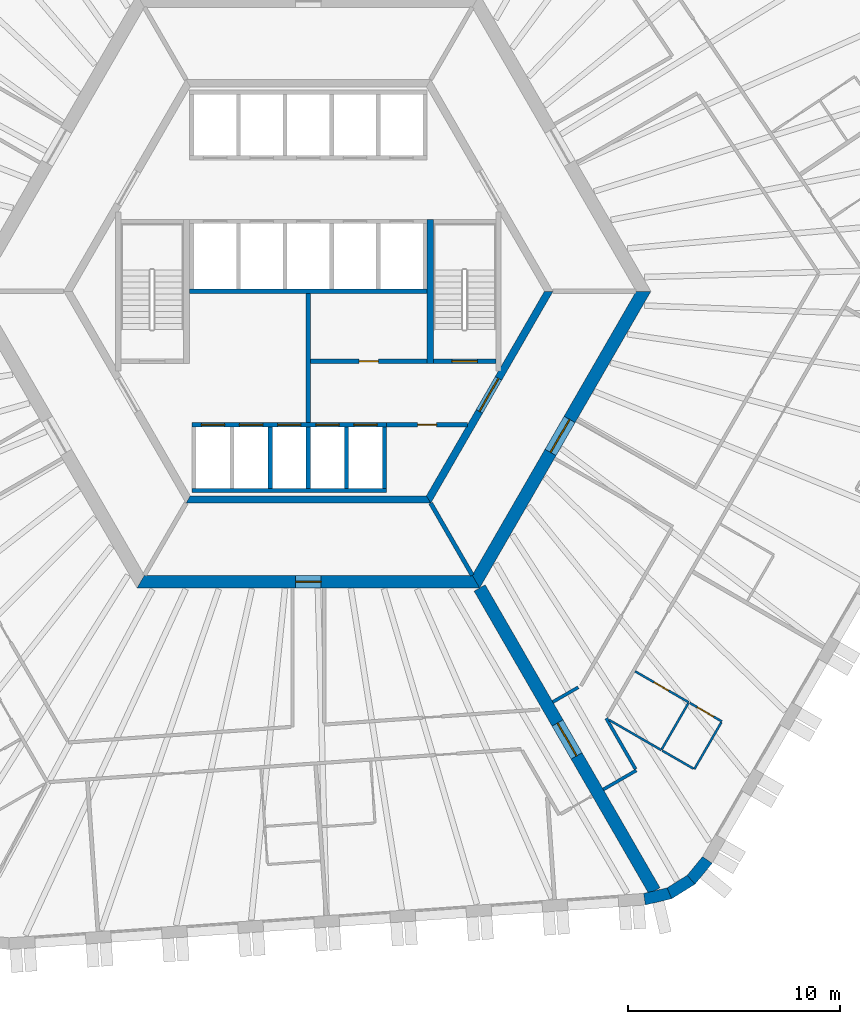
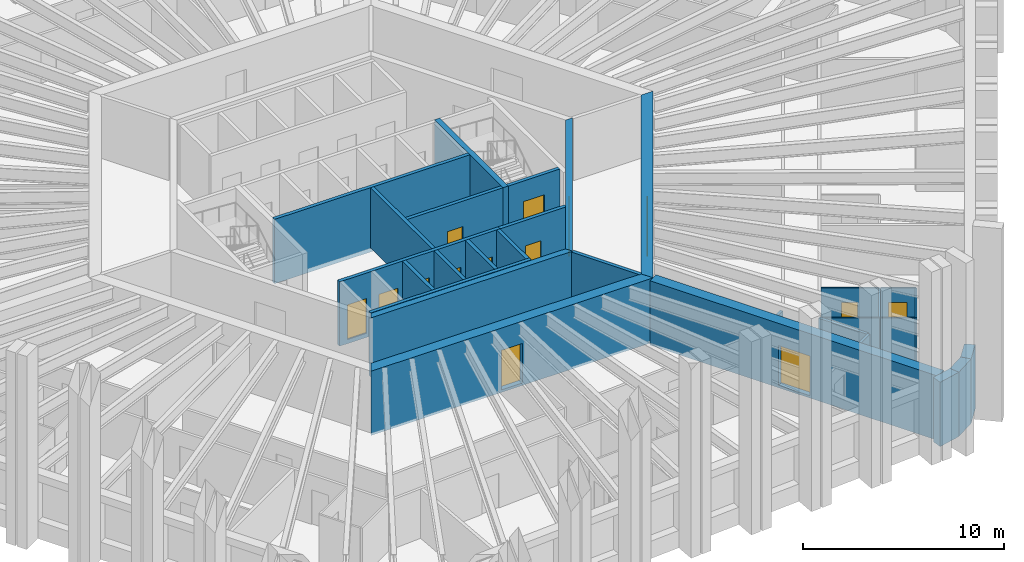
# One storey, part 5 of 12: 30 walls, 14 doors, 14 openings.
"""IFC4 building model written with IfcOpenShell, lengths in metres."""

from ifc_helpers import new_model, si_unit, direction, frame, frame_2d, origin, place, context, subcontext, project, spatial, polyline, rectangle, outline, extrude, material, layer, layer_set, type_object, element, fill, save


model = new_model("IFC4")

# Units and contexts
model_context = context("Model", 3, precision=1e-05, world=origin(), true_north=direction((0.0, 1.0)))
body_context = subcontext(model_context, "Body", "Model", "MODEL_VIEW")
ifc_project = project(units=[si_unit("LENGTHUNIT", "METRE"), si_unit("AREAUNIT", "SQUARE_METRE"), si_unit("VOLUMEUNIT", "CUBIC_METRE"), si_unit("PLANEANGLEUNIT", "RADIAN"), si_unit("MASSUNIT", "GRAM", prefix="KILO")], contexts=[model_context])

# Site, building, storey
site_placement = place(None, origin())
site = spatial("IfcSite", under=ifc_project, at=site_placement, CompositionType="ELEMENT")
building_placement = place(site_placement, origin())
building = spatial("IfcBuilding", under=site, at=building_placement, Name="Tarnside Tower", CompositionType="ELEMENT")
storey_placement = place(building_placement, frame((0.0, 0.0, 99.89990234375)))
storey = spatial("IfcBuildingStorey", under=building, at=storey_placement, Name="L22", CompositionType="ELEMENT", Elevation=99.89990234375)

# Wall
ifc_material_1 = material(Name="Gypsum board partition on steel studs", Category="steel")
ifc_layer_1 = layer(ifc_material_1, 0.10009765625)
ifc_layer_set_1 = layer_set([ifc_layer_1], Name="Bathroom wall 100")
wall_type_1 = type_object("IfcWallType", Name="Bathroom wall 100", PredefinedType="PARTITIONING", material=ifc_layer_set_1)
wall_1_placement = place(storey_placement, frame((16.656494140625, -21.64990234375, 0.0), z_axis=(0.0, 0.0, 1.0), x_axis=(-0.866041498374, 0.499972122318, 0.0)))
element("IfcWall", 1, at=wall_1_placement, inside=storey, type_object=wall_type_1, Name="Bathroom wall 07131", PredefinedType="PARTITIONING", context=body_context, shape_type="SweptSolid", body=[
    extrude(rectangle(XDim=2.849853515625, YDim=0.10009765625, at=frame_2d((1.4248046875, 0.0))), origin(), (0.0, 0.0, 1.0), 2.98779296875),
])

# Wall, opening, door
wall_2_placement = place(storey_placement, frame((15.42333984375, -17.935791015625, 0.0), z_axis=(0.0, 0.0, 1.0), x_axis=(0.86601045545, -0.500025890382, 0.0)))
wall_2 = element("IfcWall", 2, at=wall_2_placement, inside=storey, type_object=wall_type_1, Name="Bathroom wall 07132", PredefinedType="PARTITIONING", context=body_context, shape_type="SweptSolid", body=[
    extrude(rectangle(XDim=2.925048828125, YDim=0.10009765625, at=frame_2d((1.46240234375, 0.0))), origin(), (0.0, 0.0, 1.0), 2.98779296875),
])
opening_1_placement = place(wall_2_placement, frame((1.02490234375, 0.0, 0.0)))
opening_1 = element("IfcOpeningElement", 3, at=opening_1_placement, cuts=wall_2, Name="Opening D-B1", PredefinedType="OPENING", context=body_context, shape_type="SweptSolid", body=[
    extrude(rectangle(XDim=0.800048828125, YDim=2.10009765625, at=frame_2d((0.39990234375, 1.050048828125))), frame((0.0, 0.06005859375, 0.0), z_axis=(0.0, -1.0, 0.0), x_axis=(1.0, 0.0, 0.0)), (0.0, 0.0, 1.0), 0.1201171875),
])
ifc_material_2 = material(Name="Timber door leaf", Category="wood")
door_type_1 = type_object("IfcDoorType", Name="Bathroom door 800", OperationType="NOTDEFINED", PredefinedType="DOOR", material=ifc_material_2)
door_1_placement = place(opening_1_placement, origin())
door_1 = element("IfcDoor", 4, at=door_1_placement, inside=storey, type_object=door_type_1, Name="Bathroom door 07030", OperationType="SINGLE_SWING_RIGHT", OverallHeight=2.10009765625, OverallWidth=0.800048828125, PredefinedType="DOOR", context=body_context, shape_type="SweptSolid", body=[
    extrude(rectangle(XDim=0.800048828125, YDim=2.10009765625, at=frame_2d((0.39990234375, 1.050048828125))), frame((0.0, 0.02490234375, 0.0), z_axis=(0.0, -1.0, 0.0), x_axis=(1.0, 0.0, 0.0)), (0.0, 0.0, 1.0), 0.050048828125),
])
fill(opening_1, door_1)

# Walls
wall_3_placement = place(storey_placement, frame((16.681640625, -21.606689453125, 0.0), z_axis=(0.0, 0.0, 1.0), x_axis=(0.500004234368, 0.866022959057, 0.0)))
element("IfcWall", 5, at=wall_3_placement, inside=storey, type_object=wall_type_1, Name="Bathroom wall 07138", PredefinedType="PARTITIONING", context=body_context, shape_type="SweptSolid", body=[
    extrude(rectangle(XDim=2.5, YDim=0.10009765625, at=frame_2d((1.25, 0.0))), origin(), (0.0, 0.0, 1.0), 2.98779296875),
])
ifc_material_3 = material(Name="Concrete C50/60", Category="concrete")
ifc_layer_2 = layer(ifc_material_3, 0.35009765625)
ifc_layer_set_2 = layer_set([ifc_layer_2], Name="Core block wall 350 C50/60")
wall_type_2 = type_object("IfcWallType", Name="Core block wall 350 C50/60", PredefinedType="SHEAR", material=ifc_layer_set_2)
wall_4_placement = place(storey_placement, frame((-5.672607421875, -9.824951171875, -0.14990234375), z_axis=(0.0, 0.0, 1.0), x_axis=(1.0, 0.0, 0.0)))
element("IfcWall", 6, at=wall_4_placement, inside=storey, type_object=wall_type_2, Name="L22 core block wall face 4", PredefinedType="SHEAR", context=body_context, shape_type="SweptSolid", body=[
    extrude(outline(polyline([(-0.10107421875, -0.175048828125), (11.4462890625, -0.175048828125), (11.244140625, 0.175048828125), (0.10107421875, 0.175048828125), (-0.10107421875, -0.175048828125)])), origin(), (0.0, 0.0, 1.0), 3.89990234375),
])

# Wall, opening, door
wall_5_placement = place(storey_placement, frame((5.672607421875, -9.824951171875, -0.14990234375), z_axis=(0.0, 0.0, 1.0), x_axis=(0.499995046907, 0.866028263435, 0.0)))
wall_5 = element("IfcWall", 7, at=wall_5_placement, inside=storey, type_object=wall_type_2, Name="L22 core block wall face 5", PredefinedType="SHEAR", context=body_context, shape_type="SweptSolid", body=[
    extrude(outline(polyline([(-0.10107421875, -0.175048828125), (11.44580078125, -0.175048828125), (11.24365234375, 0.175048828125), (0.10107421875, 0.175048828125), (-0.10107421875, -0.175048828125)])), origin(), (0.0, 0.0, 1.0), 3.89990234375),
])
opening_2_placement = place(wall_5_placement, frame((4.80126953125, 0.0, 0.14990234375)))
opening_2 = element("IfcOpeningElement", 8, at=opening_2_placement, cuts=wall_5, Name="Opening CD-FFL", PredefinedType="OPENING", context=body_context, shape_type="SweptSolid", body=[
    extrude(rectangle(XDim=1.800048828125, YDim=2.39990234375, at=frame_2d((0.89990234375, 1.199951171875))), frame((0.0, 0.18505859375, 0.0), z_axis=(0.0, -1.0, 0.0), x_axis=(1.0, 0.0, 0.0)), (0.0, 0.0, 1.0), 0.3701171875),
])
ifc_material_4 = material(Name="Steel fire door", Category="steel")
door_type_2 = type_object("IfcDoorType", Name="Firefighting lobby double door FD60S 1800x2400", OperationType="NOTDEFINED", PredefinedType="DOOR", material=ifc_material_4)
door_2_placement = place(opening_2_placement, origin())
door_2 = element("IfcDoor", 9, at=door_2_placement, inside=storey, type_object=door_type_2, Name="L22 lobby block door P4", OperationType="DOUBLE_DOOR_SINGLE_SWING", OverallHeight=2.39990234375, OverallWidth=1.800048828125, PredefinedType="DOOR", context=body_context, shape_type="SweptSolid", body=[
    extrude(rectangle(XDim=1.800048828125, YDim=2.39990234375, at=frame_2d((0.89990234375, 1.199951171875))), frame((0.0, 0.02490234375, 0.0), z_axis=(0.0, -1.0, 0.0), x_axis=(1.0, 0.0, 0.0)), (0.0, 0.0, 1.0), 0.050048828125),
])
fill(opening_2, door_2)

ifc_material_5 = material(Name="Concrete C40/50", Category="concrete")
ifc_layer_3 = layer(ifc_material_5, 0.199951171875)
ifc_layer_set_3 = layer_set([ifc_layer_3], Name="Core room partition 200 C40/50")
wall_type_3 = type_object("IfcWallType", Name="Core room partition 200 C40/50", PredefinedType="PARTITIONING", material=ifc_layer_set_3)
wall_6_placement = place(storey_placement, frame((0.10009765625, -3.300048828125, 0.0), z_axis=(0.0, 0.0, 1.0), x_axis=(1.0, 0.0, 0.0)))
wall_6 = element("IfcWall", 10, at=wall_6_placement, inside=storey, type_object=wall_type_3, Name="L22 core partition R3S1", PredefinedType="PARTITIONING", context=body_context, shape_type="SweptSolid", body=[
    extrude(rectangle(XDim=5.5, YDim=0.199951171875, at=frame_2d((2.75, 0.0))), origin(), (0.0, 0.0, 1.0), 3.650146484375),
])
opening_3_placement = place(wall_6_placement, frame((2.300048828125, 0.0, 0.0)))
opening_3 = element("IfcOpeningElement", 11, at=opening_3_placement, cuts=wall_6, Name="Opening CD-room", PredefinedType="OPENING", context=body_context, shape_type="SweptSolid", body=[
    extrude(rectangle(XDim=0.89990234375, YDim=2.10009765625, at=frame_2d((0.449951171875, 1.050048828125))), frame((0.0, 0.10986328125, 0.0), z_axis=(0.0, -1.0, 0.0), x_axis=(1.0, 0.0, 0.0)), (0.0, 0.0, 1.0), 0.219970703125),
])
door_type_3 = type_object("IfcDoorType", Name="Room door FD60 900x2100", OperationType="NOTDEFINED", PredefinedType="DOOR", material=ifc_material_4)
door_3_placement = place(opening_3_placement, origin())
door_3 = element("IfcDoor", 12, at=door_3_placement, inside=storey, type_object=door_type_3, Name="L22 core room door SR1", OperationType="SINGLE_SWING_LEFT", OverallHeight=2.10009765625, OverallWidth=0.89990234375, PredefinedType="DOOR", context=body_context, shape_type="SweptSolid", body=[
    extrude(rectangle(XDim=0.89990234375, YDim=2.10009765625, at=frame_2d((0.449951171875, 1.050048828125))), frame((0.0, 0.02490234375, 0.0), z_axis=(0.0, -1.0, 0.0), x_axis=(1.0, 0.0, 0.0)), (0.0, 0.0, 1.0), 0.050048828125),
])
fill(opening_3, door_3)

# Wall
wall_7_placement = place(storey_placement, frame((0.0, -6.199951171875, 0.0), z_axis=(0.0, 0.0, 1.0), x_axis=(0.0, 1.0, 0.0)))
element("IfcWall", 13, at=wall_7_placement, inside=storey, type_object=wall_type_3, Name="L22 core partition X0", PredefinedType="PARTITIONING", context=body_context, shape_type="SweptSolid", body=[
    extrude(rectangle(XDim=6.099853515625, YDim=0.199951171875, at=frame_2d((3.0498046875, 0.0))), origin(), (0.0, 0.0, 1.0), 3.650146484375),
])

# Wall, opening, door
wall_8_placement = place(storey_placement, frame((3.699951171875, -6.300048828125, 0.0), z_axis=(0.0, 0.0, 1.0), x_axis=(1.0, 0.0, 0.0)))
wall_8 = element("IfcWall", 14, at=wall_8_placement, inside=storey, type_object=wall_type_3, Name="L22 core partition R4X", PredefinedType="PARTITIONING", context=body_context, shape_type="SweptSolid", body=[
    extrude(rectangle(XDim=3.8056640625, YDim=0.199951171875, at=frame_2d((1.90283203125, 0.0))), origin(), (0.0, 0.0, 1.0), 3.650146484375),
])
opening_4_placement = place(wall_8_placement, frame((1.452880859375, 0.0, 0.0)))
opening_4 = element("IfcOpeningElement", 15, at=opening_4_placement, cuts=wall_8, Name="Opening CD-room", PredefinedType="OPENING", context=body_context, shape_type="SweptSolid", body=[
    extrude(rectangle(XDim=0.89990234375, YDim=2.10009765625, at=frame_2d((0.449951171875, 1.050048828125))), frame((0.0, 0.10986328125, 0.0), z_axis=(0.0, -1.0, 0.0), x_axis=(1.0, 0.0, 0.0)), (0.0, 0.0, 1.0), 0.219970703125),
])
door_4_placement = place(opening_4_placement, origin())
door_4 = element("IfcDoor", 16, at=door_4_placement, inside=storey, type_object=door_type_3, Name="L22 core room door RX", OperationType="SINGLE_SWING_LEFT", OverallHeight=2.10009765625, OverallWidth=0.89990234375, PredefinedType="DOOR", context=body_context, shape_type="SweptSolid", body=[
    extrude(rectangle(XDim=0.89990234375, YDim=2.10009765625, at=frame_2d((0.449951171875, 1.050048828125))), frame((0.0, 0.02490234375, 0.0), z_axis=(0.0, -1.0, 0.0), x_axis=(1.0, 0.0, 0.0)), (0.0, 0.0, 1.0), 0.050048828125),
])
fill(opening_4, door_4)

ifc_material_6 = material(Name="Concrete C80/95", Category="concrete")
ifc_layer_4 = layer(ifc_material_6, 0.60009765625)
ifc_layer_set_4 = layer_set([ifc_layer_4], Name="Core wall Z1 600 C80/95")
wall_type_4 = type_object("IfcWallType", Name="Core wall Z1 600 C80/95", PredefinedType="SHEAR", material=ifc_layer_set_4)
wall_9_placement = place(storey_placement, frame((-7.90966796875, -13.699951171875, -0.14990234375), z_axis=(0.0, 0.0, 1.0), x_axis=(1.0, 0.0, 0.0)))
wall_9 = element("IfcWall", 17, at=wall_9_placement, inside=storey, type_object=wall_type_4, Name="L22 core wall face 4", PredefinedType="SHEAR", context=body_context, shape_type="SweptSolid", body=[
    extrude(outline(polyline([(-0.17333984375, -0.300048828125), (15.99267578125, -0.300048828125), (15.64599609375, 0.300048828125), (0.17333984375, 0.300048828125), (-0.17333984375, -0.300048828125)])), origin(), (0.0, 0.0, 1.0), 3.89990234375),
])
opening_5_placement = place(wall_9_placement, frame((7.309814453125, 0.0, 0.14990234375)))
opening_5 = element("IfcOpeningElement", 18, at=opening_5_placement, cuts=wall_9, Name="Opening CD-RSR", PredefinedType="OPENING", context=body_context, shape_type="SweptSolid", body=[
    extrude(rectangle(XDim=1.199951171875, YDim=2.39990234375, at=frame_2d((0.60009765625, 1.199951171875))), frame((0.0, 0.31005859375, 0.0), z_axis=(0.0, -1.0, 0.0), x_axis=(1.0, 0.0, 0.0)), (0.0, 0.0, 1.0), 0.6201171875),
])
door_type_4 = type_object("IfcDoorType", Name="Riser door FD60 1200x2400", OperationType="NOTDEFINED", PredefinedType="DOOR", material=ifc_material_4)
door_5_placement = place(opening_5_placement, origin())
door_5 = element("IfcDoor", 19, at=door_5_placement, inside=storey, type_object=door_type_4, Name="L22 core door S6", OperationType="SINGLE_SWING_LEFT", OverallHeight=2.39990234375, OverallWidth=1.199951171875, PredefinedType="DOOR", context=body_context, shape_type="SweptSolid", body=[
    extrude(rectangle(XDim=1.199951171875, YDim=2.39990234375, at=frame_2d((0.60009765625, 1.199951171875))), frame((0.0, 0.02490234375, 0.0), z_axis=(0.0, -1.0, 0.0), x_axis=(1.0, 0.0, 0.0)), (0.0, 0.0, 1.0), 0.050048828125),
])
fill(opening_5, door_5)

wall_10_placement = place(storey_placement, frame((7.90966796875, -13.699951171875, -0.14990234375), z_axis=(0.0, 0.0, 1.0), x_axis=(0.499999880136, 0.866025472988, 0.0)))
wall_10 = element("IfcWall", 20, at=wall_10_placement, inside=storey, type_object=wall_type_4, Name="L22 core wall face 5", PredefinedType="SHEAR", context=body_context, shape_type="SweptSolid", body=[
    extrude(outline(polyline([(-0.17333984375, -0.300048828125), (15.99267578125, -0.300048828125), (15.64599609375, 0.300048828125), (0.17333984375, 0.300048828125), (-0.17333984375, -0.300048828125)])), origin(), (0.0, 0.0, 1.0), 3.89990234375),
])
opening_6_placement = place(wall_10_placement, frame((7.03857421875, 0.0, 0.14990234375)))
opening_6 = element("IfcOpeningElement", 21, at=opening_6_placement, cuts=wall_10, Name="Opening CD-FFL", PredefinedType="OPENING", context=body_context, shape_type="SweptSolid", body=[
    extrude(rectangle(XDim=1.800048828125, YDim=2.39990234375, at=frame_2d((0.89990234375, 1.199951171875))), frame((0.0, 0.31005859375, 0.0), z_axis=(0.0, -1.0, 0.0), x_axis=(1.0, 0.0, 0.0)), (0.0, 0.0, 1.0), 0.6201171875),
])
door_6_placement = place(opening_6_placement, origin())
door_6 = element("IfcDoor", 22, at=door_6_placement, inside=storey, type_object=door_type_2, Name="L22 core door P4", OperationType="DOUBLE_DOOR_SINGLE_SWING", OverallHeight=2.39990234375, OverallWidth=1.800048828125, PredefinedType="DOOR", context=body_context, shape_type="SweptSolid", body=[
    extrude(rectangle(XDim=1.800048828125, YDim=2.39990234375, at=frame_2d((0.89990234375, 1.199951171875))), frame((0.0, 0.02490234375, 0.0), z_axis=(0.0, -1.0, 0.0), x_axis=(1.0, 0.0, 0.0)), (0.0, 0.0, 1.0), 0.050048828125),
])
fill(opening_6, door_6)

wall_11_placement = place(storey_placement, frame((8.0830078125, -14.0, -0.14990234375), z_axis=(0.0, 0.0, 1.0), x_axis=(0.499997680643, -0.866026742862, 0.0)))
wall_11 = element("IfcWall", 23, at=wall_11_placement, inside=storey, type_object=wall_type_4, Name="L22 spine wall 3", PredefinedType="SHEAR", context=body_context, shape_type="SweptSolid", body=[
    extrude(rectangle(XDim=16.5087890625, YDim=0.60009765625, at=frame_2d((8.25439453125, 0.0))), origin(), (0.0, 0.0, 1.0), 3.89990234375),
])
opening_7_placement = place(wall_11_placement, frame((7.3544921875, 0.0, 0.14990234375)))
opening_7 = element("IfcOpeningElement", 24, at=opening_7_placement, cuts=wall_11, Name="Opening CD-SPN", PredefinedType="OPENING", context=body_context, shape_type="SweptSolid", body=[
    extrude(rectangle(XDim=1.800048828125, YDim=2.39990234375, at=frame_2d((0.89990234375, 1.199951171875))), frame((0.0, 0.31005859375, 0.0), z_axis=(0.0, -1.0, 0.0), x_axis=(1.0, 0.0, 0.0)), (0.0, 0.0, 1.0), 0.6201171875),
])
door_type_5 = type_object("IfcDoorType", Name="Spine passage double door FD60 1800x2400", OperationType="NOTDEFINED", PredefinedType="DOOR", material=ifc_material_4)
door_7_placement = place(opening_7_placement, origin())
door_7 = element("IfcDoor", 25, at=door_7_placement, inside=storey, type_object=door_type_5, Name="L22 spine passage door 3", OperationType="DOUBLE_DOOR_SINGLE_SWING", OverallHeight=2.39990234375, OverallWidth=1.800048828125, PredefinedType="DOOR", context=body_context, shape_type="SweptSolid", body=[
    extrude(rectangle(XDim=1.800048828125, YDim=2.39990234375, at=frame_2d((0.89990234375, 1.199951171875))), frame((0.0, 0.02490234375, 0.0), z_axis=(0.0, -1.0, 0.0), x_axis=(1.0, 0.0, 0.0)), (0.0, 0.0, 1.0), 0.050048828125),
])
fill(opening_7, door_7)

# Walls
ifc_layer_5 = layer(ifc_material_1, 0.14990234375)
ifc_layer_set_5 = layer_set([ifc_layer_5], Name="Corridor wall 150 EI 60")
wall_type_5 = type_object("IfcWallType", Name="Corridor wall 150 EI 60", PredefinedType="PARTITIONING", material=ifc_layer_set_5)
wall_12_placement = place(storey_placement, frame((13.919921875, -23.510009765625, 0.0), z_axis=(0.0, 0.0, 1.0), x_axis=(0.866047807691, 0.499961193289, 0.0)))
element("IfcWall", 26, at=wall_12_placement, inside=storey, type_object=wall_type_5, Name="Corridor wall 07052", PredefinedType="PARTITIONING", context=body_context, shape_type="SweptSolid", body=[
    extrude(rectangle(XDim=1.800048828125, YDim=0.14990234375, at=frame_2d((0.89990234375, 0.0))), origin(), (0.0, 0.0, 1.0), 2.98779296875),
])
wall_13_placement = place(storey_placement, frame((15.44140625, -22.545166015625, 0.0), z_axis=(0.0, 0.0, 1.0), x_axis=(-0.499974611044, 0.866040061609, 0.0)))
element("IfcWall", 27, at=wall_13_placement, inside=storey, type_object=wall_type_5, Name="Corridor wall 07053", PredefinedType="PARTITIONING", context=body_context, shape_type="SweptSolid", body=[
    extrude(rectangle(XDim=2.765869140625, YDim=0.14990234375, at=frame_2d((1.3828125, 0.0))), origin(), (0.0, 0.0, 1.0), 2.98779296875),
])
wall_14_placement = place(storey_placement, frame((12.73779296875, -18.6875, 0.0), z_axis=(0.0, 0.0, 1.0), x_axis=(-0.866080107329, -0.499905238708, 0.0)))
element("IfcWall", 28, at=wall_14_placement, inside=storey, type_object=wall_type_5, Name="Corridor wall 07073", PredefinedType="PARTITIONING", context=body_context, shape_type="SweptSolid", body=[
    extrude(rectangle(XDim=1.387451171875, YDim=0.14990234375, at=frame_2d((0.69384765625, 0.0))), origin(), (0.0, 0.0, 1.0), 2.98779296875),
])
ifc_layer_6 = layer(ifc_material_5, 0.199951171875)
ifc_layer_set_6 = layer_set([ifc_layer_6], Name="Lift shaft wall 200 C40/50")
wall_type_6 = type_object("IfcWallType", Name="Lift shaft wall 200 C40/50", PredefinedType="SHEAR", material=ifc_layer_set_6)
wall_15_placement = place(storey_placement, frame((-5.60009765625, 0.0, -0.25), z_axis=(0.0, 0.0, 1.0), x_axis=(1.0, 0.0, 0.0)))
element("IfcWall", 29, at=wall_15_placement, inside=storey, type_object=wall_type_6, Name="L22 lift shaft back wall R2", PredefinedType="SHEAR", context=body_context, shape_type="SweptSolid", body=[
    extrude(rectangle(XDim=11.2001953125, YDim=0.199951171875, at=frame_2d((5.60009765625, 0.0))), origin(), (0.0, 0.0, 1.0), 3.900146484375),
])

# Wall, openings, doors
wall_16_placement = place(storey_placement, frame((-5.5, -6.300048828125, -0.25), z_axis=(0.0, 0.0, 1.0), x_axis=(1.0, 0.0, 0.0)))
wall_16 = element("IfcWall", 30, at=wall_16_placement, inside=storey, type_object=wall_type_6, Name="L22 lift shaft front wall R4", PredefinedType="SHEAR", context=body_context, shape_type="SweptSolid", body=[
    extrude(rectangle(XDim=9.199951171875, YDim=0.199951171875, at=frame_2d((4.60009765625, 0.0))), origin(), (0.0, 0.0, 1.0), 3.900146484375),
])
opening_8_placement = place(wall_16_placement, frame((0.449951171875, 0.0, 0.25)))
opening_8 = element("IfcOpeningElement", 31, at=opening_8_placement, cuts=wall_16, Name="Opening LDF", PredefinedType="OPENING", context=body_context, shape_type="SweptSolid", body=[
    extrude(rectangle(XDim=1.10009765625, YDim=2.10009765625, at=frame_2d((0.550048828125, 1.050048828125))), frame((0.0, 0.10986328125, 0.0), z_axis=(0.0, -1.0, 0.0), x_axis=(1.0, 0.0, 0.0)), (0.0, 0.0, 1.0), 0.219970703125),
])
opening_9_placement = place(wall_16_placement, frame((2.25, 0.0, 0.25)))
opening_9 = element("IfcOpeningElement", 32, at=opening_9_placement, cuts=wall_16, Name="Opening LDF", PredefinedType="OPENING", context=body_context, shape_type="SweptSolid", body=[
    extrude(rectangle(XDim=1.10009765625, YDim=2.10009765625, at=frame_2d((0.550048828125, 1.050048828125))), frame((0.0, 0.10986328125, 0.0), z_axis=(0.0, -1.0, 0.0), x_axis=(1.0, 0.0, 0.0)), (0.0, 0.0, 1.0), 0.219970703125),
])
opening_10_placement = place(wall_16_placement, frame((4.050048828125, 0.0, 0.25)))
opening_10 = element("IfcOpeningElement", 33, at=opening_10_placement, cuts=wall_16, Name="Opening LDF", PredefinedType="OPENING", context=body_context, shape_type="SweptSolid", body=[
    extrude(rectangle(XDim=1.10009765625, YDim=2.10009765625, at=frame_2d((0.550048828125, 1.050048828125))), frame((0.0, 0.10986328125, 0.0), z_axis=(0.0, -1.0, 0.0), x_axis=(1.0, 0.0, 0.0)), (0.0, 0.0, 1.0), 0.219970703125),
])
opening_11_placement = place(wall_16_placement, frame((5.85009765625, 0.0, 0.25)))
opening_11 = element("IfcOpeningElement", 34, at=opening_11_placement, cuts=wall_16, Name="Opening LDF", PredefinedType="OPENING", context=body_context, shape_type="SweptSolid", body=[
    extrude(rectangle(XDim=1.10009765625, YDim=2.10009765625, at=frame_2d((0.550048828125, 1.050048828125))), frame((0.0, 0.10986328125, 0.0), z_axis=(0.0, -1.0, 0.0), x_axis=(1.0, 0.0, 0.0)), (0.0, 0.0, 1.0), 0.219970703125),
])
opening_12_placement = place(wall_16_placement, frame((7.64990234375, 0.0, 0.25)))
opening_12 = element("IfcOpeningElement", 35, at=opening_12_placement, cuts=wall_16, Name="Opening LDF", PredefinedType="OPENING", context=body_context, shape_type="SweptSolid", body=[
    extrude(rectangle(XDim=1.10009765625, YDim=2.10009765625, at=frame_2d((0.550048828125, 1.050048828125))), frame((0.0, 0.10986328125, 0.0), z_axis=(0.0, -1.0, 0.0), x_axis=(1.0, 0.0, 0.0)), (0.0, 0.0, 1.0), 0.219970703125),
])
ifc_material_7 = material(Name="Stainless steel", Category="steel")
door_type_6 = type_object("IfcDoorType", Name="Lift landing door 1100x2100 EI 120", OperationType="NOTDEFINED", PredefinedType="DOOR", material=ifc_material_7)
door_8_placement = place(opening_8_placement, origin())
door_8 = element("IfcDoor", 36, at=door_8_placement, inside=storey, type_object=door_type_6, Name="Firefighting lift 1 landing door L22", OperationType="SLIDING_TO_LEFT", OverallHeight=2.10009765625, OverallWidth=1.10009765625, PredefinedType="DOOR", context=body_context, shape_type="SweptSolid", body=[
    extrude(rectangle(XDim=1.10009765625, YDim=2.10009765625, at=frame_2d((0.550048828125, 1.050048828125))), frame((0.0, 0.02490234375, 0.0), z_axis=(0.0, -1.0, 0.0), x_axis=(1.0, 0.0, 0.0)), (0.0, 0.0, 1.0), 0.050048828125),
])
fill(opening_8, door_8)
door_9_placement = place(opening_9_placement, origin())
door_9 = element("IfcDoor", 37, at=door_9_placement, inside=storey, type_object=door_type_6, Name="Firefighting lift 2 landing door L22", OperationType="SLIDING_TO_LEFT", OverallHeight=2.10009765625, OverallWidth=1.10009765625, PredefinedType="DOOR", context=body_context, shape_type="SweptSolid", body=[
    extrude(rectangle(XDim=1.10009765625, YDim=2.10009765625, at=frame_2d((0.550048828125, 1.050048828125))), frame((0.0, 0.02490234375, 0.0), z_axis=(0.0, -1.0, 0.0), x_axis=(1.0, 0.0, 0.0)), (0.0, 0.0, 1.0), 0.050048828125),
])
fill(opening_9, door_9)
door_10_placement = place(opening_10_placement, origin())
door_10 = element("IfcDoor", 38, at=door_10_placement, inside=storey, type_object=door_type_6, Name="Firefighting lift 3 landing door L22", OperationType="SLIDING_TO_LEFT", OverallHeight=2.10009765625, OverallWidth=1.10009765625, PredefinedType="DOOR", context=body_context, shape_type="SweptSolid", body=[
    extrude(rectangle(XDim=1.10009765625, YDim=2.10009765625, at=frame_2d((0.550048828125, 1.050048828125))), frame((0.0, 0.02490234375, 0.0), z_axis=(0.0, -1.0, 0.0), x_axis=(1.0, 0.0, 0.0)), (0.0, 0.0, 1.0), 0.050048828125),
])
fill(opening_10, door_10)
door_11_placement = place(opening_11_placement, origin())
door_11 = element("IfcDoor", 39, at=door_11_placement, inside=storey, type_object=door_type_6, Name="Firefighting lift 4 landing door L22", OperationType="SLIDING_TO_LEFT", OverallHeight=2.10009765625, OverallWidth=1.10009765625, PredefinedType="DOOR", context=body_context, shape_type="SweptSolid", body=[
    extrude(rectangle(XDim=1.10009765625, YDim=2.10009765625, at=frame_2d((0.550048828125, 1.050048828125))), frame((0.0, 0.02490234375, 0.0), z_axis=(0.0, -1.0, 0.0), x_axis=(1.0, 0.0, 0.0)), (0.0, 0.0, 1.0), 0.050048828125),
])
fill(opening_11, door_11)
door_12_placement = place(opening_12_placement, origin())
door_12 = element("IfcDoor", 40, at=door_12_placement, inside=storey, type_object=door_type_6, Name="Firefighting lift 5 landing door L22", OperationType="SLIDING_TO_LEFT", OverallHeight=2.10009765625, OverallWidth=1.10009765625, PredefinedType="DOOR", context=body_context, shape_type="SweptSolid", body=[
    extrude(rectangle(XDim=1.10009765625, YDim=2.10009765625, at=frame_2d((0.550048828125, 1.050048828125))), frame((0.0, 0.02490234375, 0.0), z_axis=(0.0, -1.0, 0.0), x_axis=(1.0, 0.0, 0.0)), (0.0, 0.0, 1.0), 0.050048828125),
])
fill(opening_12, door_12)

# Walls
wall_17_placement = place(storey_placement, frame((-5.5, -9.39990234375, -0.25), z_axis=(0.0, 0.0, 1.0), x_axis=(1.0, 0.0, 0.0)))
element("IfcWall", 41, at=wall_17_placement, inside=storey, type_object=wall_type_6, Name="L22 lift shaft back wall R4", PredefinedType="SHEAR", context=body_context, shape_type="SweptSolid", body=[
    extrude(rectangle(XDim=9.199951171875, YDim=0.199951171875, at=frame_2d((4.60009765625, 0.0))), origin(), (0.0, 0.0, 1.0), 3.900146484375),
])
for number, where, z_axis, x_axis, name in (
    (42, (-1.800048828125, -9.300048828125, -0.25), (0.0, 0.0, 1.0), (0.0, 1.0, 0.0), "L22 lift shaft partition R43"),
    (43, (0.0, -9.300048828125, -0.25), (0.0, 0.0, 1.0), (0.0, 1.0, 0.0), "L22 lift shaft partition R44"),
    (44, (1.800048828125, -9.300048828125, -0.25), (0.0, 0.0, 1.0), (0.0, 1.0, 0.0), "L22 lift shaft partition R45"),
    (45, (3.60009765625, -9.300048828125, -0.25), (0.0, 0.0, 1.0), (0.0, 1.0, 0.0), "L22 lift shaft partition R46"),
):
    element("IfcWall", number, at=place(storey_placement, frame(where, z_axis=z_axis, x_axis=x_axis)), inside=storey, type_object=wall_type_6, Name=name, PredefinedType="SHEAR", context=body_context, shape_type="SweptSolid", body=[
        extrude(rectangle(XDim=2.900146484375, YDim=0.199951171875, at=frame_2d((1.4501953125, 0.0))), origin(), (0.0, 0.0, 1.0), 3.900146484375),
    ])
wall_18_placement = place(storey_placement, frame((5.7734375, -10.0, -0.14990234375), z_axis=(0.0, 0.0, 1.0), x_axis=(0.500038251005, -0.86600331843, 0.0)))
element("IfcWall", 46, at=wall_18_placement, inside=storey, type_object=wall_type_6, Name="L22 core partition AR300", PredefinedType="SHEAR", context=body_context, shape_type="SweptSolid", body=[
    extrude(rectangle(XDim=3.926025390625, YDim=0.199951171875, at=frame_2d((1.962890625, 0.0))), origin(), (0.0, 0.0, 1.0), 3.89990234375),
])

# Wall, opening, door
wall_19_placement = place(storey_placement, frame((5.89990234375, -3.300048828125, -0.25), z_axis=(0.0, 0.0, 1.0), x_axis=(1.0, 0.0, 0.0)))
wall_19 = element("IfcWall", 47, at=wall_19_placement, inside=storey, type_object=wall_type_6, Name="L22 stair 1 enclosure cap wall s", PredefinedType="SHEAR", context=body_context, shape_type="SweptSolid", body=[
    extrude(rectangle(XDim=2.9501953125, YDim=0.199951171875, at=frame_2d((1.47509765625, 0.0))), origin(), (0.0, 0.0, 1.0), 3.900146484375),
])
opening_13_placement = place(wall_19_placement, frame((0.875, 0.0, 0.25)))
opening_13 = element("IfcOpeningElement", 48, at=opening_13_placement, cuts=wall_19, Name="Opening CD-STR", PredefinedType="OPENING", context=body_context, shape_type="SweptSolid", body=[
    extrude(rectangle(XDim=1.199951171875, YDim=2.39990234375, at=frame_2d((0.60009765625, 1.199951171875))), frame((0.0, 0.10986328125, 0.0), z_axis=(0.0, -1.0, 0.0), x_axis=(1.0, 0.0, 0.0)), (0.0, 0.0, 1.0), 0.219970703125),
])
door_type_7 = type_object("IfcDoorType", Name="Stair door FD60S 1200x2400", OperationType="NOTDEFINED", PredefinedType="DOOR", material=ifc_material_4)
door_13_placement = place(opening_13_placement, origin())
door_13 = element("IfcDoor", 49, at=door_13_placement, inside=storey, type_object=door_type_7, Name="L22 stair 1 door", OperationType="SINGLE_SWING_LEFT", OverallHeight=2.39990234375, OverallWidth=1.199951171875, PredefinedType="DOOR", context=body_context, shape_type="SweptSolid", body=[
    extrude(rectangle(XDim=1.199951171875, YDim=2.39990234375, at=frame_2d((0.60009765625, 1.199951171875))), frame((0.0, 0.02490234375, 0.0), z_axis=(0.0, -1.0, 0.0), x_axis=(1.0, 0.0, 0.0)), (0.0, 0.0, 1.0), 0.050048828125),
])
fill(opening_13, door_13)

ifc_layer_7 = layer(ifc_material_1, 0.10009765625)
ifc_layer_set_7 = layer_set([ifc_layer_7], Name="Partition 100")
wall_type_7 = type_object("IfcWallType", Name="Partition 100", PredefinedType="PARTITIONING", material=ifc_layer_set_7)
wall_20_placement = place(storey_placement, frame((17.999755859375, -19.42333984375, 0.0), z_axis=(0.0, 0.0, 1.0), x_axis=(0.866036909293, -0.499980071345, 0.0)))
wall_20 = element("IfcWall", 50, at=wall_20_placement, inside=storey, type_object=wall_type_7, Name="Partition wall 07133", PredefinedType="PARTITIONING", context=body_context, shape_type="SweptSolid", body=[
    extrude(rectangle(XDim=1.75, YDim=0.10009765625, at=frame_2d((0.875, 0.0))), origin(), (0.0, 0.0, 1.0), 2.98779296875),
])
opening_14_placement = place(wall_20_placement, frame((0.39990234375, 0.0, 0.0)))
opening_14 = element("IfcOpeningElement", 51, at=opening_14_placement, cuts=wall_20, Name="Opening D-I1", PredefinedType="OPENING", context=body_context, shape_type="SweptSolid", body=[
    extrude(rectangle(XDim=0.89990234375, YDim=2.10009765625, at=frame_2d((0.449951171875, 1.050048828125))), frame((0.0, 0.06005859375, 0.0), z_axis=(0.0, -1.0, 0.0), x_axis=(1.0, 0.0, 0.0)), (0.0, 0.0, 1.0), 0.1201171875),
])
door_type_8 = type_object("IfcDoorType", Name="Internal door 900", OperationType="NOTDEFINED", PredefinedType="DOOR", material=ifc_material_2)
door_14_placement = place(opening_14_placement, origin())
door_14 = element("IfcDoor", 52, at=door_14_placement, inside=storey, type_object=door_type_8, Name="Internal door 07031", OperationType="SINGLE_SWING_RIGHT", OverallHeight=2.10009765625, OverallWidth=0.89990234375, PredefinedType="DOOR", context=body_context, shape_type="SweptSolid", body=[
    extrude(rectangle(XDim=0.89990234375, YDim=2.10009765625, at=frame_2d((0.449951171875, 1.050048828125))), frame((0.0, 0.02490234375, 0.0), z_axis=(0.0, -1.0, 0.0), x_axis=(1.0, 0.0, 0.0)), (0.0, 0.0, 1.0), 0.050048828125),
])
fill(opening_14, door_14)

# Walls
wall_21_placement = place(storey_placement, frame((19.490478515625, -20.341552734375, 0.0), z_axis=(0.0, 0.0, 1.0), x_axis=(-0.500020783669, -0.866013403995, 0.0)))
element("IfcWall", 53, at=wall_21_placement, inside=storey, type_object=wall_type_7, Name="Partition wall 07134", PredefinedType="PARTITIONING", context=body_context, shape_type="SweptSolid", body=[
    extrude(rectangle(XDim=2.55029296875, YDim=0.10009765625, at=frame_2d((1.275146484375, 0.0))), origin(), (0.0, 0.0, 1.0), 2.98779296875),
])
wall_22_placement = place(storey_placement, frame((18.172119140625, -22.52490234375, 0.0), z_axis=(0.0, 0.0, 1.0), x_axis=(-0.86605165483, 0.499954529098, 0.0)))
element("IfcWall", 54, at=wall_22_placement, inside=storey, type_object=wall_type_7, Name="Partition wall 07135", PredefinedType="PARTITIONING", context=body_context, shape_type="SweptSolid", body=[
    extrude(rectangle(XDim=1.699951171875, YDim=0.10009765625, at=frame_2d((0.85009765625, 0.0))), origin(), (0.0, 0.0, 1.0), 2.98779296875),
])
ifc_layer_8 = layer(ifc_material_5, 0.300048828125)
ifc_layer_set_8 = layer_set([ifc_layer_8], Name="Stair enclosure wall 300 C40/50")
wall_type_8 = type_object("IfcWallType", Name="Stair enclosure wall 300 C40/50", PredefinedType="SHEAR", material=ifc_layer_set_8)
wall_23_placement = place(storey_placement, frame((5.75, -3.39990234375, -0.25), z_axis=(0.0, 0.0, 1.0), x_axis=(0.0, 1.0, 0.0)))
element("IfcWall", 55, at=wall_23_placement, inside=storey, type_object=wall_type_8, Name="L22 stair 1 enclosure wall inner", PredefinedType="SHEAR", context=body_context, shape_type="SweptSolid", body=[
    extrude(rectangle(XDim=6.7998046875, YDim=0.300048828125, at=frame_2d((3.39990234375, 0.0))), origin(), (0.0, 0.0, 1.0), 3.900146484375),
])
ifc_material_8 = material(Name="Facing brick", Category="masonry")
ifc_layer_9 = layer(ifc_material_8, 0.10205078125)
ifc_material_9 = material(Name="Concrete C60/75 precast", Category="concrete")
ifc_layer_10 = layer(ifc_material_9, 0.347900390625)
ifc_material_10 = material(Name="Mineral wool insulation")
ifc_layer_11 = layer(ifc_material_10, 0.10009765625)
ifc_layer_set_9 = layer_set([ifc_layer_9, ifc_layer_10, ifc_layer_11], Name="Tube wall 550 brick faced")
wall_type_9 = type_object("IfcWallType", Name="Tube wall 550 brick faced", PredefinedType="SOLIDWALL", material=ifc_layer_set_9)
wall_24_placement = place(storey_placement, frame((15.8642578125, -28.688232421875, -0.14990234375), z_axis=(0.0, 0.0, 1.0), x_axis=(0.973063591128, 0.230536868247, 0.0)))
element("IfcWall", 56, at=wall_24_placement, inside=storey, type_object=wall_type_9, Name="Tube wall L22 F4 chord 13", PredefinedType="SOLIDWALL", context=body_context, shape_type="SweptSolid", body=[
    extrude(outline(polyline([(-0.0224609375, -0.27490234375), (1.25341796875, -0.27490234375), (1.1630859375, 0.27490234375), (0.0224609375, 0.27490234375), (-0.0224609375, -0.27490234375)])), origin(), (0.0, 0.0, 1.0), 3.89990234375),
])
wall_25_placement = place(storey_placement, frame((17.0400390625, -28.40966796875, -0.14990234375), z_axis=(0.0, 0.0, 1.0), x_axis=(0.847952888306, 0.530071598195, 0.0)))
element("IfcWall", 57, at=wall_25_placement, inside=storey, type_object=wall_type_9, Name="Tube wall L22 F4 chord 14", PredefinedType="SOLIDWALL", context=body_context, shape_type="SweptSolid", body=[
    extrude(outline(polyline([(-0.045166015625, -0.27490234375), (1.253173828125, -0.27490234375), (1.162841796875, 0.27490234375), (0.045166015625, 0.27490234375), (-0.045166015625, -0.27490234375)])), origin(), (0.0, 0.0, 1.0), 3.89990234375),
])
wall_26_placement = place(storey_placement, frame((18.064453125, -27.769287109375, -0.14990234375), z_axis=(0.0, 0.0, 1.0), x_axis=(0.633842757806, 0.773461930787, 0.0)))
element("IfcWall", 58, at=wall_26_placement, inside=storey, type_object=wall_type_9, Name="Tube wall L22 F4 chord 15", PredefinedType="SOLIDWALL", context=body_context, shape_type="SweptSolid", body=[
    extrude(outline(polyline([(-0.045166015625, -0.27490234375), (1.230712890625, -0.27490234375), (1.185791015625, 0.27490234375), (0.045166015625, 0.27490234375), (-0.045166015625, -0.27490234375)])), origin(), (0.0, 0.0, 1.0), 3.89990234375),
])

save(model, "model.ifc")
